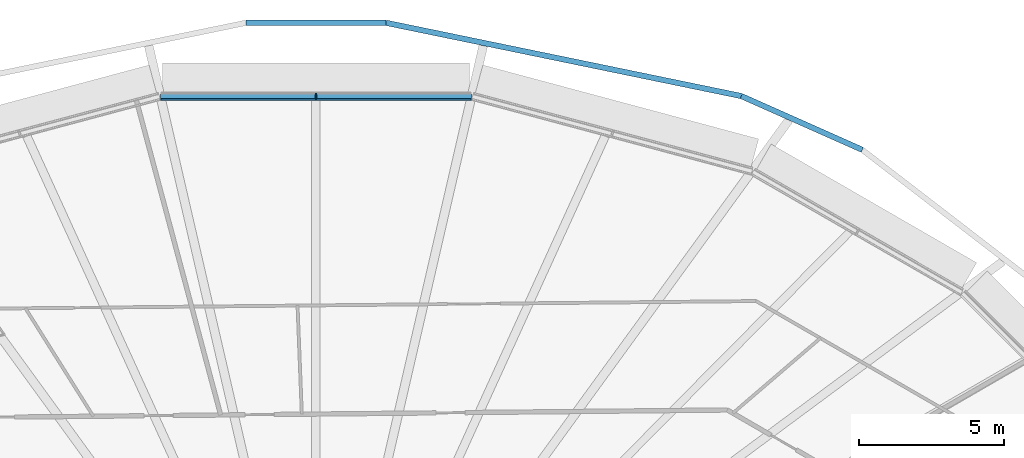
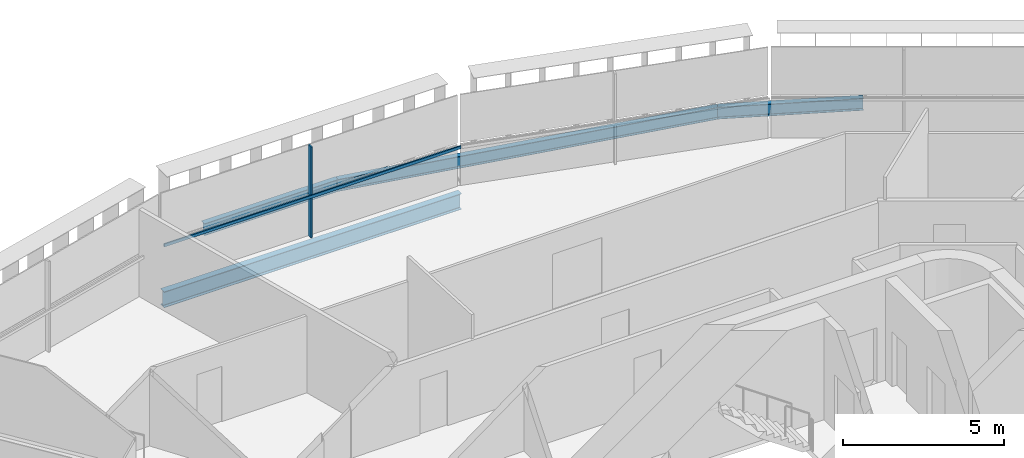
# One storey, part 8 of 22: 4 beams, 2 members, 1 element without a shape of its own.
"""IFC4 building model written with IfcOpenShell, lengths in metres."""

import ifcopenshell
import ifcopenshell.guid

model = None  # the IFC model being written
_history = None  # IfcOwnerHistory: only IFC2X3 demands one
_inside = {}  # id of a spatial element -> (the spatial element, [elements in it])
_under = {}  # id of a project, library or spatial element -> (it, [spatial elements below it])
_declared = {}  # id of a project -> (the project, [libraries it declares])
_typed = {}  # id of a type object -> (the type object, [elements of that type])
_made_of = {}  # id of a material, layer set ... -> (it, [elements and type objects made of it])


def new_model(schema):
    """Start an empty IFC model of exactly this schema.

    Asked for "IFC4X3", IfcOpenShell would pick the latest addendum, in which some entities
    have other attributes; the version numbers below select the first issue.
    IFC2X3 requires an IfcOwnerHistory on every rooted entity: one is made here for all.
    """
    global model, _history
    if schema == "IFC4X3":
        model = ifcopenshell.file(schema_version=(4, 3, 0, 0))
    else:
        model = ifcopenshell.file(schema=schema)
    _inside.clear()
    _under.clear()
    _declared.clear()
    _typed.clear()
    _made_of.clear()
    _history = None
    if model.schema == "IFC2X3":
        org = make("IfcOrganization", Name="unknown")
        user = make(
            "IfcPersonAndOrganization",
            ThePerson=make("IfcPerson", FamilyName="unknown"),
            TheOrganization=org,
        )
        app = make(
            "IfcApplication",
            ApplicationDeveloper=org,
            Version="unknown",
            ApplicationFullName="unknown",
            ApplicationIdentifier="unknown",
        )
        _history = make(
            "IfcOwnerHistory",
            OwningUser=user,
            OwningApplication=app,
            ChangeAction="ADDED",
            CreationDate=0,
        )
    return model


def make(cls, **values):
    """One entity of the class cls with the attributes given. An attribute that is None is left unset."""
    return model.create_entity(
        cls, **{name: value for name, value in values.items() if value is not None}
    )


def rooted(cls, **values):
    """An entity with a GlobalId (a new one), such as an element, a storey or a relation."""
    return make(cls, GlobalId=ifcopenshell.guid.new(), OwnerHistory=_history, **values)


def si_unit(unit_type, name, prefix=None):
    """IfcSIUnit, for example si_unit("LENGTHUNIT", "METRE", prefix="MILLI")."""
    return make("IfcSIUnit", UnitType=unit_type, Prefix=prefix, Name=name)


def assignment(units):
    """IfcUnitAssignment: the units of a project."""
    return None if units is None else make("IfcUnitAssignment", Units=units)


def point(xyz):
    """IfcCartesianPoint."""
    return None if xyz is None else make("IfcCartesianPoint", Coordinates=xyz)


def direction(xyz):
    """IfcDirection."""
    return None if xyz is None else make("IfcDirection", DirectionRatios=xyz)


def frame(location, z_axis=None, x_axis=None):
    """IfcAxis2Placement3D, a coordinate frame: its origin and axes. An axis left out is left unset."""
    return make(
        "IfcAxis2Placement3D",
        Location=point(location),
        Axis=direction(z_axis),
        RefDirection=direction(x_axis),
    )


def frame_2d(location, x_axis=None):
    """IfcAxis2Placement2D, a coordinate frame in the plane: its origin and x axis."""
    return make(
        "IfcAxis2Placement2D", Location=point(location), RefDirection=direction(x_axis)
    )


def origin():
    """The frame at (0, 0, 0) with its axes left unset."""
    return frame((0.0, 0.0, 0.0))


def origin_2d():
    """The frame at (0, 0) in the plane with its x axis left unset."""
    return frame_2d((0.0, 0.0))


def place(relative_to, where):
    """IfcLocalPlacement: puts the frame where relative to a parent placement (None: the world)."""
    return make(
        "IfcLocalPlacement", PlacementRelTo=relative_to, RelativePlacement=where
    )


def context(
    kind, dimensions, precision=None, world=None, true_north=None, identifier=None
):
    """IfcGeometricRepresentationContext, for example the 3D "Model" context."""
    return make(
        "IfcGeometricRepresentationContext",
        ContextIdentifier=identifier,
        ContextType=kind,
        CoordinateSpaceDimension=dimensions,
        Precision=precision,
        WorldCoordinateSystem=world,
        TrueNorth=true_north,
    )


def subcontext(parent, identifier, kind, view, scale=None):
    """IfcGeometricRepresentationSubContext, for example "Body" below "Model"."""
    return make(
        "IfcGeometricRepresentationSubContext",
        ContextIdentifier=identifier,
        ContextType=kind,
        ParentContext=parent,
        TargetScale=scale,
        TargetView=view,
    )


def project(units=None, contexts=None):
    """IfcProject with its units and contexts."""
    return rooted(
        "IfcProject",
        Name="project",
        RepresentationContexts=contexts,
        UnitsInContext=assignment(units),
    )


def spatial(cls, under=None, at=None, **own):
    """A site, building, storey or space (cls), placed at a placement, below another one or the project."""
    s = rooted(cls, ObjectPlacement=at, **own)
    if under is not None:
        _under.setdefault(under.id(), (under, []))[1].append(s)
    return s


def profile(cls, at=None, kind="AREA", **sizes):
    """A parametric profile (cls). Its sizes go by their IFC names, for example OverallWidth=200.0."""
    return make(cls, ProfileType=kind, Position=at, **sizes)


def rectangle(**sizes):
    """IfcRectangleProfileDef."""
    return profile("IfcRectangleProfileDef", **sizes)


def i_section(**sizes):
    """IfcIShapeProfileDef."""
    return profile("IfcIShapeProfileDef", **sizes)


def extrude(swept, where, along, depth):
    """IfcExtrudedAreaSolid: the profile swept, set in the frame where, extruded along a direction by depth."""
    return make(
        "IfcExtrudedAreaSolid",
        SweptArea=swept,
        Position=where,
        ExtrudedDirection=direction(along),
        Depth=depth,
    )


def shape(context_of_items, identifier, shape_type, items):
    """IfcShapeRepresentation: the items that make up one representation, for example the "Body"."""
    return make(
        "IfcShapeRepresentation",
        ContextOfItems=context_of_items,
        RepresentationIdentifier=identifier,
        RepresentationType=shape_type,
        Items=items,
    )


def material(Name=None, Category=None):
    """IfcMaterial."""
    return make("IfcMaterial", Name=Name, Category=Category)


def layer(
    of_material, thickness, ventilated=None, Name=None, Category=None, Priority=None
):
    """IfcMaterialLayer: one layer of a wall or slab, of a material (None: an air gap)."""
    return make(
        "IfcMaterialLayer",
        Material=of_material,
        LayerThickness=thickness,
        IsVentilated=ventilated,
        Name=Name,
        Category=Category,
        Priority=Priority,
    )


def layer_set(layers, Name=None):
    """IfcMaterialLayerSet."""
    return make("IfcMaterialLayerSet", MaterialLayers=layers, LayerSetName=Name)


def material_profile(
    of_material, cross_section, Name=None, Category=None, Priority=None
):
    """IfcMaterialProfile: a cross section and its material."""
    return make(
        "IfcMaterialProfile",
        Name=Name,
        Material=of_material,
        Profile=cross_section,
        Priority=Priority,
        Category=Category,
    )


def profile_set(profiles, Name=None, composite=None):
    """IfcMaterialProfileSet."""
    return make(
        "IfcMaterialProfileSet",
        Name=Name,
        MaterialProfiles=profiles,
        CompositeProfile=composite,
    )


def made_of(thing, what):
    """Note that an element or type object is made of a material, layer set ...; save() writes the relation."""
    if what is not None:
        _made_of.setdefault(what.id(), (what, []))[1].append(thing)
    return thing


def type_object(cls, material=None, **own):
    """A type object (cls), such as IfcWallType, which elements share."""
    return made_of(rooted(cls, **own), material)


def element(
    cls,
    number,
    at=None,
    inside=None,
    cuts=None,
    type_object=None,
    material=None,
    context=None,
    identifier="Body",
    shape_type=None,
    held_by="IfcProductDefinitionShape",
    body=None,
    shapes=None,
    **own,
):
    """One element of the class cls, such as IfcWall. Its Tag is "e" and its number.

    at: its placement. inside: the storey or other place that contains it. cuts: it is an
    opening in that element (IfcRelVoidsElement). A single representation is given by context,
    identifier, shape_type and body (its items); several are given by shapes. held_by: the class
    of the entity that holds the representations. save() writes the other relations.
    """
    e = rooted(cls, Tag="e%d" % number, ObjectPlacement=at, **own)
    if body is not None:
        shapes = [shape(context, identifier, shape_type, body)]
    if shapes is not None:
        e.Representation = make(held_by, Representations=shapes)
    if inside is not None:
        _inside.setdefault(inside.id(), (inside, []))[1].append(e)
    if cuts is not None:
        rooted(
            "IfcRelVoidsElement", RelatingBuildingElement=cuts, RelatedOpeningElement=e
        )
    if type_object is not None:
        _typed.setdefault(type_object.id(), (type_object, []))[1].append(e)
    return made_of(e, material)


def aggregate(whole, parts):
    """IfcRelAggregates: a whole, such as a stair, and the parts it consists of."""
    return rooted("IfcRelAggregates", RelatingObject=whole, RelatedObjects=parts)


def save(model, path):
    """Write the relations noted so far, then the file.

    IfcRelAggregates (storeys below a building ...), IfcRelContainedInSpatialStructure (elements
    in a storey), IfcRelDefinesByType, IfcRelAssociatesMaterial and IfcRelDeclares: one each for
    every whole, place, type object, material and project.
    """
    for whole, parts in _under.values():
        aggregate(whole, parts)
    for where, things in _inside.values():
        rooted(
            "IfcRelContainedInSpatialStructure",
            RelatedElements=things,
            RelatingStructure=where,
        )
    for kind, things in _typed.values():
        rooted("IfcRelDefinesByType", RelatedObjects=things, RelatingType=kind)
    for what, things in _made_of.values():
        rooted("IfcRelAssociatesMaterial", RelatedObjects=things, RelatingMaterial=what)
    for by, libraries in _declared.values():
        rooted("IfcRelDeclares", RelatingContext=by, RelatedDefinitions=libraries)
    model.write(path)


model = new_model("IFC4")

# Units and contexts
model_context = context("Model", 3, precision=1e-05, world=origin(), true_north=direction((0.0, 1.0)))
body_context = subcontext(model_context, "Body", "Model", "MODEL_VIEW")
ifc_project = project(units=[si_unit("LENGTHUNIT", "METRE"), si_unit("AREAUNIT", "SQUARE_METRE"), si_unit("VOLUMEUNIT", "CUBIC_METRE"), si_unit("PLANEANGLEUNIT", "RADIAN"), si_unit("MASSUNIT", "GRAM", prefix="KILO")], contexts=[model_context])

# Site, building, storey
site_placement = place(None, origin())
site = spatial("IfcSite", under=ifc_project, at=site_placement, CompositionType="ELEMENT")
building_placement = place(site_placement, origin())
building = spatial("IfcBuilding", under=site, at=building_placement, Name="Sahrelin Media Tower", CompositionType="ELEMENT")
storey_placement = place(building_placement, frame((0.0, 0.0, 177.60009765625)))
storey = spatial("IfcBuildingStorey", under=building, at=storey_placement, Name="L37", CompositionType="ELEMENT", Elevation=177.60009765625)

# Beam
ifc_material_1 = material(Name="Steel S355", Category="steel")
ifc_material_profile_1 = material_profile(ifc_material_1, i_section(OverallWidth=0.2275390625, OverallDepth=0.6025390625, WebThickness=0.010498046875, FlangeThickness=0.014892578125, FilletRadius=0.0126953125, at=origin_2d()), Name="UB 610x229x101")
ifc_profile_set_1 = profile_set([ifc_material_profile_1], Name="Steel S355")
beam_type_1 = type_object("IfcBeamType", Name="Edge beam EB7", PredefinedType="BEAM", material=ifc_profile_set_1)
beam_1_placement = place(storey_placement, frame((-5.348388671875, 23.1748046875, -0.451416015625), z_axis=(1.0, 0.0, 0.0), x_axis=(0.0, 1.0, 0.0)))
element("IfcBeam", 1, at=beam_1_placement, inside=storey, type_object=beam_type_1, Name="Edge beam L37-15", PredefinedType="BEAM", context=body_context, shape_type="SweptSolid", body=[
    extrude(i_section(OverallWidth=0.2275390625, OverallDepth=0.6025390625, WebThickness=0.010498046875, FlangeThickness=0.014892578125, FilletRadius=0.0126953125, at=origin_2d()), origin(), (0.0, 0.0, 1.0), 10.69677734375),
])

# Curtain wall, member
ifc_material_2 = material(Name="Champagne anodised aluminium 6063-T6", Category="aluminium")
ifc_layer = layer(ifc_material_2, 0.14990234375)
ifc_layer_set = layer_set([ifc_layer], Name="Tower ribbon curtain wall")
curtain_wall_type = type_object("IfcCurtainWallType", Name="Tower ribbon curtain wall", PredefinedType="NOTDEFINED", material=ifc_layer_set)
curtain_wall_placement = place(storey_placement, frame((0.0, 23.32470703125, 0.0), z_axis=(0.0, 0.0, 1.0), x_axis=(1.0, 0.0, 0.0)))
curtain_wall = element("IfcCurtainWall", 2, at=curtain_wall_placement, inside=storey, type_object=curtain_wall_type, Name="L37:CW:L37-06", PredefinedType="NOTDEFINED")
ifc_material_profile_2 = material_profile(ifc_material_2, rectangle(XDim=0.06005859375, YDim=0.175048828125, at=origin_2d()), Name="Mullion 60x175")
ifc_profile_set_2 = profile_set([ifc_material_profile_2], Name="Champagne anodised aluminium 6063-T6")
member_type_1 = type_object("IfcMemberType", Name="Mullion 60x175 CW1B", PredefinedType="MULLION", material=ifc_profile_set_2)
member_1_placement = place(storey_placement, frame((0.0, 23.21728515625, 0.0), z_axis=(0.0, 0.0, 1.0), x_axis=(-1.0, 0.0, 0.0)))
member_1 = element("IfcMember", 3, at=member_1_placement, type_object=member_type_1, Name="L37:CWM:L37-06", PredefinedType="MULLION", context=body_context, shape_type="SweptSolid", body=[
    extrude(rectangle(XDim=0.06005859375, YDim=0.175048828125, at=origin_2d()), origin(), (0.0, 0.0, 1.0), 3.448486328125),
])

# Beams
ifc_material_profile_3 = material_profile(ifc_material_1, i_section(OverallWidth=0.1904296875, OverallDepth=0.45703125, WebThickness=0.009033203125, FlangeThickness=0.014404296875, FilletRadius=0.01025390625, at=origin_2d()), Name="UB 457x191x74")
ifc_profile_set_3 = profile_set([ifc_material_profile_3], Name="Steel S355")
beam_type_2 = type_object("IfcBeamType", Name="Tie chord TC5", PredefinedType="BEAM", material=ifc_profile_set_3)
beam_2_placement = place(storey_placement, frame((18.802001953125, 21.3642578125, -0.378662109375), z_axis=(-0.913835844961, 0.40608379488, 0.0), x_axis=(-0.40608379488, -0.913835844961, 0.0)))
element("IfcBeam", 4, at=beam_2_placement, inside=storey, type_object=beam_type_2, Name="Tie chord L37-04", PredefinedType="BEAM", context=body_context, shape_type="SweptSolid", body=[
    extrude(i_section(OverallWidth=0.1904296875, OverallDepth=0.45703125, WebThickness=0.009033203125, FlangeThickness=0.014404296875, FilletRadius=0.01025390625, at=origin_2d()), origin(), (0.0, 0.0, 1.0), 4.557861328125),
])
beam_3_placement = place(storey_placement, frame((14.636962890625, 23.215087890625, -0.378662109375), z_axis=(-0.979388741221, 0.201984389419, 0.0), x_axis=(-0.201984389419, -0.979388741221, 0.0)))
element("IfcBeam", 5, at=beam_3_placement, inside=storey, type_object=beam_type_2, Name="Tie chord L37-05", PredefinedType="BEAM", context=body_context, shape_type="SweptSolid", body=[
    extrude(i_section(OverallWidth=0.1904296875, OverallDepth=0.45703125, WebThickness=0.009033203125, FlangeThickness=0.014404296875, FilletRadius=0.01025390625, at=origin_2d()), origin(), (0.0, 0.0, 1.0), 12.489501953125),
])
beam_4_placement = place(storey_placement, frame((2.40478515625, 25.73779296875, -0.378662109375), z_axis=(-1.0, 0.0, 0.0), x_axis=(0.0, -1.0, 0.0)))
element("IfcBeam", 6, at=beam_4_placement, inside=storey, type_object=beam_type_2, Name="Tie chord L37-06", PredefinedType="BEAM", context=body_context, shape_type="SweptSolid", body=[
    extrude(i_section(OverallWidth=0.1904296875, OverallDepth=0.45703125, WebThickness=0.009033203125, FlangeThickness=0.014404296875, FilletRadius=0.01025390625, at=origin_2d()), origin(), (0.0, 0.0, 1.0), 4.8095703125),
])

# Member
ifc_material_profile_4 = material_profile(ifc_material_2, rectangle(XDim=0.050048828125, YDim=0.110107421875, at=origin_2d()), Name="Transom 50x110")
ifc_profile_set_4 = profile_set([ifc_material_profile_4], Name="Champagne anodised aluminium 6063-T6")
member_type_2 = type_object("IfcMemberType", Name="Transom 50x110 CW1B", PredefinedType="USERDEFINED", material=ifc_profile_set_4)
member_2_placement = place(storey_placement, frame((5.33251953125, 23.104736328125, 1.599853515625), z_axis=(-1.0, 0.0, 0.0), x_axis=(0.0, -1.0, 0.0)))
member_2 = element("IfcMember", 7, at=member_2_placement, type_object=member_type_2, Name="L37:CWT:L37-06", ObjectType="TRANSOM", PredefinedType="USERDEFINED", context=body_context, shape_type="SweptSolid", body=[
    extrude(rectangle(XDim=0.050048828125, YDim=0.110107421875, at=origin_2d()), origin(), (0.0, 0.0, 1.0), 10.6650390625),
])

aggregate(curtain_wall, [member_1, member_2])

save(model, "model.ifc")
